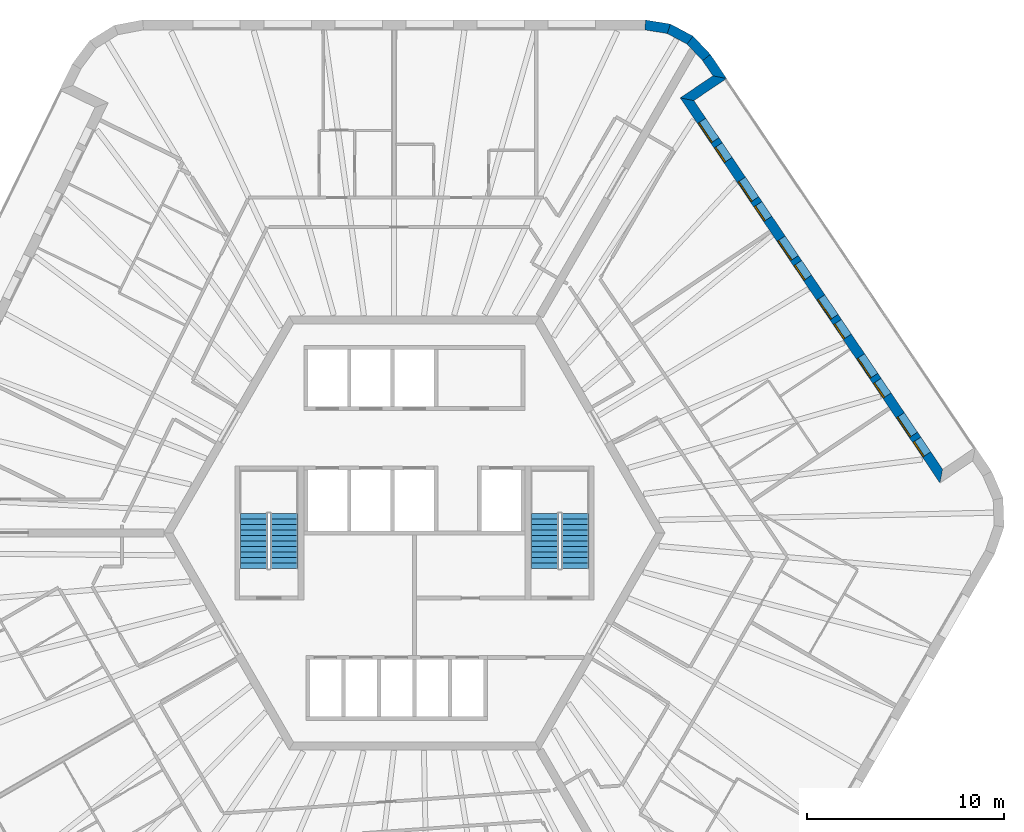
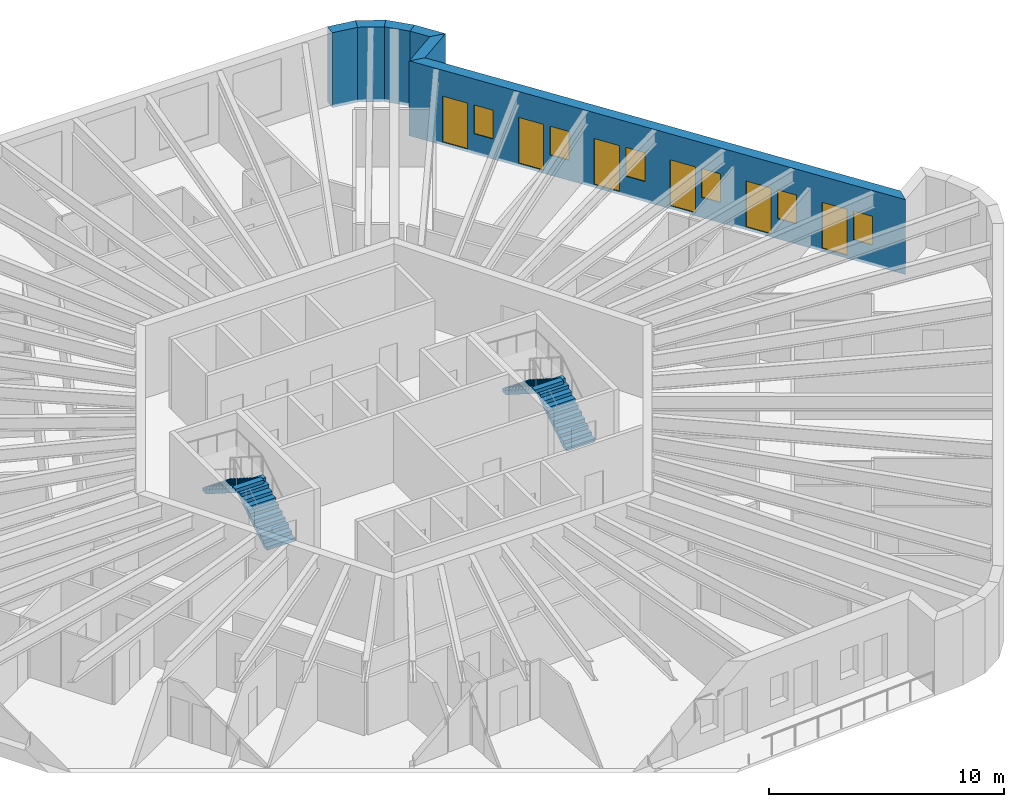
# One storey, part 11 of 12: 6 doors, 6 walls, 6 windows, 4 stair flights, 12 openings, 2 elements without a shape of their own.
"""IFC4 building model written with IfcOpenShell, lengths in metres."""

from ifc_helpers import new_model, si_unit, direction, frame, frame_2d, origin, place, context, subcontext, project, spatial, polyline, rectangle, outline, extrude, material, layer, layer_set, type_object, element, fill, aggregate, save


model = new_model("IFC4")

# Units and contexts
model_context = context("Model", 3, precision=1e-05, world=origin(), true_north=direction((0.0, 1.0)))
body_context = subcontext(model_context, "Body", "Model", "MODEL_VIEW")
ifc_project = project(units=[si_unit("LENGTHUNIT", "METRE"), si_unit("AREAUNIT", "SQUARE_METRE"), si_unit("VOLUMEUNIT", "CUBIC_METRE"), si_unit("PLANEANGLEUNIT", "RADIAN"), si_unit("MASSUNIT", "GRAM", prefix="KILO")], contexts=[model_context])

# Site, building, storey
site_placement = place(None, origin())
site = spatial("IfcSite", under=ifc_project, at=site_placement, CompositionType="ELEMENT")
building_placement = place(site_placement, origin())
building = spatial("IfcBuilding", under=site, at=building_placement, Name="Tarnside Tower", CompositionType="ELEMENT")
storey_placement = place(building_placement, frame((0.0, 0.0, 299.10009765625)))
storey = spatial("IfcBuildingStorey", under=building, at=storey_placement, Name="L72", CompositionType="ELEMENT", Elevation=299.10009765625)

# Wall, openings, doors, windows
ifc_material_1 = material(Name="Dark zinc cladding")
ifc_layer_1 = layer(ifc_material_1, 0.10205078125)
ifc_material_2 = material(Name="Concrete C60/75 precast", Category="concrete")
ifc_layer_2 = layer(ifc_material_2, 0.298095703125)
ifc_material_3 = material(Name="Mineral wool insulation")
ifc_layer_3 = layer(ifc_material_3, 0.10009765625)
ifc_layer_set_1 = layer_set([ifc_layer_1, ifc_layer_2, ifc_layer_3], Name="Loggia wall 500 zinc faced")
wall_type_1 = type_object("IfcWallType", Name="Loggia wall 500 zinc faced", PredefinedType="SOLIDWALL", material=ifc_layer_set_1)
wall_1_placement = place(storey_placement, frame((26.705810546875, 2.87890625, -0.150146484375), z_axis=(0.0, 0.0, 1.0), x_axis=(-0.559197891507, 0.829034208061, 0.0)))
wall_1 = element("IfcWall", 1, at=wall_1_placement, inside=storey, type_object=wall_type_1, Name="Tube wall L72 F6 back 30", PredefinedType="SOLIDWALL", context=body_context, shape_type="SweptSolid", body=[
    extrude(outline(polyline([(0.25, -0.25), (22.794677734375, -0.25), (23.294677734375, 0.25), (-0.25, 0.25), (0.25, -0.25)])), origin(), (0.0, 0.0, 1.0), 3.900146484375),
])
opening_1_placement = place(wall_1_placement, frame((1.322509765625, 0.0, 1.050048828125)))
opening_1 = element("IfcOpeningElement", 2, at=opening_1_placement, cuts=wall_1, Name="Opening WL500", PredefinedType="OPENING", context=body_context, shape_type="SweptSolid", body=[
    extrude(rectangle(XDim=0.89990234375, YDim=1.5, at=frame_2d((0.449951171875, 0.75))), frame((0.0, 0.260009765625, 0.0), z_axis=(0.0, -1.0, 0.0), x_axis=(1.0, 0.0, 0.0)), (0.0, 0.0, 1.0), 0.52001953125),
])
opening_2_placement = place(wall_1_placement, frame((2.5224609375, 0.0, 0.14990234375)))
opening_2 = element("IfcOpeningElement", 3, at=opening_2_placement, cuts=wall_1, Name="Opening DB500", PredefinedType="OPENING", context=body_context, shape_type="SweptSolid", body=[
    extrude(rectangle(XDim=1.199951171875, YDim=2.39990234375, at=frame_2d((0.60009765625, 1.199951171875))), frame((0.0, 0.260009765625, 0.0), z_axis=(0.0, -1.0, 0.0), x_axis=(1.0, 0.0, 0.0)), (0.0, 0.0, 1.0), 0.52001953125),
])
opening_3_placement = place(wall_1_placement, frame((4.92236328125, 0.0, 1.050048828125)))
opening_3 = element("IfcOpeningElement", 4, at=opening_3_placement, cuts=wall_1, Name="Opening WL500", PredefinedType="OPENING", context=body_context, shape_type="SweptSolid", body=[
    extrude(rectangle(XDim=0.89990234375, YDim=1.5, at=frame_2d((0.449951171875, 0.75))), frame((0.0, 0.260009765625, 0.0), z_axis=(0.0, -1.0, 0.0), x_axis=(1.0, 0.0, 0.0)), (0.0, 0.0, 1.0), 0.52001953125),
])
opening_4_placement = place(wall_1_placement, frame((6.122314453125, 0.0, 0.14990234375)))
opening_4 = element("IfcOpeningElement", 5, at=opening_4_placement, cuts=wall_1, Name="Opening DB500", PredefinedType="OPENING", context=body_context, shape_type="SweptSolid", body=[
    extrude(rectangle(XDim=1.199951171875, YDim=2.39990234375, at=frame_2d((0.60009765625, 1.199951171875))), frame((0.0, 0.260009765625, 0.0), z_axis=(0.0, -1.0, 0.0), x_axis=(1.0, 0.0, 0.0)), (0.0, 0.0, 1.0), 0.52001953125),
])
opening_5_placement = place(wall_1_placement, frame((8.5224609375, 0.0, 1.050048828125)))
opening_5 = element("IfcOpeningElement", 6, at=opening_5_placement, cuts=wall_1, Name="Opening WL500", PredefinedType="OPENING", context=body_context, shape_type="SweptSolid", body=[
    extrude(rectangle(XDim=0.89990234375, YDim=1.5, at=frame_2d((0.449951171875, 0.75))), frame((0.0, 0.260009765625, 0.0), z_axis=(0.0, -1.0, 0.0), x_axis=(1.0, 0.0, 0.0)), (0.0, 0.0, 1.0), 0.52001953125),
])
opening_6_placement = place(wall_1_placement, frame((9.722412109375, 0.0, 0.14990234375)))
opening_6 = element("IfcOpeningElement", 7, at=opening_6_placement, cuts=wall_1, Name="Opening DB500", PredefinedType="OPENING", context=body_context, shape_type="SweptSolid", body=[
    extrude(rectangle(XDim=1.199951171875, YDim=2.39990234375, at=frame_2d((0.60009765625, 1.199951171875))), frame((0.0, 0.260009765625, 0.0), z_axis=(0.0, -1.0, 0.0), x_axis=(1.0, 0.0, 0.0)), (0.0, 0.0, 1.0), 0.52001953125),
])
opening_7_placement = place(wall_1_placement, frame((12.122314453125, 0.0, 1.050048828125)))
opening_7 = element("IfcOpeningElement", 8, at=opening_7_placement, cuts=wall_1, Name="Opening WL500", PredefinedType="OPENING", context=body_context, shape_type="SweptSolid", body=[
    extrude(rectangle(XDim=0.89990234375, YDim=1.5, at=frame_2d((0.449951171875, 0.75))), frame((0.0, 0.260009765625, 0.0), z_axis=(0.0, -1.0, 0.0), x_axis=(1.0, 0.0, 0.0)), (0.0, 0.0, 1.0), 0.52001953125),
])
opening_8_placement = place(wall_1_placement, frame((13.322509765625, 0.0, 0.14990234375)))
opening_8 = element("IfcOpeningElement", 9, at=opening_8_placement, cuts=wall_1, Name="Opening DB500", PredefinedType="OPENING", context=body_context, shape_type="SweptSolid", body=[
    extrude(rectangle(XDim=1.199951171875, YDim=2.39990234375, at=frame_2d((0.60009765625, 1.199951171875))), frame((0.0, 0.260009765625, 0.0), z_axis=(0.0, -1.0, 0.0), x_axis=(1.0, 0.0, 0.0)), (0.0, 0.0, 1.0), 0.52001953125),
])
opening_9_placement = place(wall_1_placement, frame((15.722412109375, 0.0, 1.050048828125)))
opening_9 = element("IfcOpeningElement", 10, at=opening_9_placement, cuts=wall_1, Name="Opening WL500", PredefinedType="OPENING", context=body_context, shape_type="SweptSolid", body=[
    extrude(rectangle(XDim=0.89990234375, YDim=1.5, at=frame_2d((0.449951171875, 0.75))), frame((0.0, 0.260009765625, 0.0), z_axis=(0.0, -1.0, 0.0), x_axis=(1.0, 0.0, 0.0)), (0.0, 0.0, 1.0), 0.52001953125),
])
opening_10_placement = place(wall_1_placement, frame((16.92236328125, 0.0, 0.14990234375)))
opening_10 = element("IfcOpeningElement", 11, at=opening_10_placement, cuts=wall_1, Name="Opening DB500", PredefinedType="OPENING", context=body_context, shape_type="SweptSolid", body=[
    extrude(rectangle(XDim=1.199951171875, YDim=2.39990234375, at=frame_2d((0.60009765625, 1.199951171875))), frame((0.0, 0.260009765625, 0.0), z_axis=(0.0, -1.0, 0.0), x_axis=(1.0, 0.0, 0.0)), (0.0, 0.0, 1.0), 0.52001953125),
])
opening_11_placement = place(wall_1_placement, frame((19.322509765625, 0.0, 1.050048828125)))
opening_11 = element("IfcOpeningElement", 12, at=opening_11_placement, cuts=wall_1, Name="Opening WL500", PredefinedType="OPENING", context=body_context, shape_type="SweptSolid", body=[
    extrude(rectangle(XDim=0.89990234375, YDim=1.5, at=frame_2d((0.449951171875, 0.75))), frame((0.0, 0.260009765625, 0.0), z_axis=(0.0, -1.0, 0.0), x_axis=(1.0, 0.0, 0.0)), (0.0, 0.0, 1.0), 0.52001953125),
])
opening_12_placement = place(wall_1_placement, frame((20.5224609375, 0.0, 0.14990234375)))
opening_12 = element("IfcOpeningElement", 13, at=opening_12_placement, cuts=wall_1, Name="Opening DB500", PredefinedType="OPENING", context=body_context, shape_type="SweptSolid", body=[
    extrude(rectangle(XDim=1.199951171875, YDim=2.39990234375, at=frame_2d((0.60009765625, 1.199951171875))), frame((0.0, 0.260009765625, 0.0), z_axis=(0.0, -1.0, 0.0), x_axis=(1.0, 0.0, 0.0)), (0.0, 0.0, 1.0), 0.52001953125),
])
ifc_material_4 = material(Name="Aluminium-framed double glazing", Category="aluminium")
door_type = type_object("IfcDoorType", Name="Balcony sliding door 1200 x 2400 in 500 wall", OperationType="SLIDING_TO_LEFT", PredefinedType="DOOR", material=ifc_material_4)
door_1_placement = place(opening_2_placement, frame((0.0, 0.1748046875, 0.0)))
door_1 = element("IfcDoor", 14, at=door_1_placement, inside=storey, type_object=door_type, Name="E.BD.L72.F6.00", OperationType="SLIDING_TO_LEFT", OverallHeight=2.39990234375, OverallWidth=1.199951171875, PredefinedType="DOOR", context=body_context, shape_type="SweptSolid", body=[
    extrude(rectangle(XDim=1.199951171875, YDim=2.39990234375, at=frame_2d((0.60009765625, 1.199951171875))), frame((0.0, 0.02490234375, 0.0), z_axis=(0.0, -1.0, 0.0), x_axis=(1.0, 0.0, 0.0)), (0.0, 0.0, 1.0), 0.050048828125),
])
fill(opening_2, door_1)
door_2_placement = place(opening_4_placement, frame((0.0, 0.1748046875, 0.0)))
door_2 = element("IfcDoor", 15, at=door_2_placement, inside=storey, type_object=door_type, Name="E.BD.L72.F6.01", OperationType="SLIDING_TO_LEFT", OverallHeight=2.39990234375, OverallWidth=1.199951171875, PredefinedType="DOOR", context=body_context, shape_type="SweptSolid", body=[
    extrude(rectangle(XDim=1.199951171875, YDim=2.39990234375, at=frame_2d((0.60009765625, 1.199951171875))), frame((0.0, 0.02490234375, 0.0), z_axis=(0.0, -1.0, 0.0), x_axis=(1.0, 0.0, 0.0)), (0.0, 0.0, 1.0), 0.050048828125),
])
fill(opening_4, door_2)
door_3_placement = place(opening_6_placement, frame((0.0, 0.1748046875, 0.0)))
door_3 = element("IfcDoor", 16, at=door_3_placement, inside=storey, type_object=door_type, Name="E.BD.L72.F6.02", OperationType="SLIDING_TO_LEFT", OverallHeight=2.39990234375, OverallWidth=1.199951171875, PredefinedType="DOOR", context=body_context, shape_type="SweptSolid", body=[
    extrude(rectangle(XDim=1.199951171875, YDim=2.39990234375, at=frame_2d((0.60009765625, 1.199951171875))), frame((0.0, 0.02490234375, 0.0), z_axis=(0.0, -1.0, 0.0), x_axis=(1.0, 0.0, 0.0)), (0.0, 0.0, 1.0), 0.050048828125),
])
fill(opening_6, door_3)
door_4_placement = place(opening_8_placement, frame((0.0, 0.1748046875, 0.0)))
door_4 = element("IfcDoor", 17, at=door_4_placement, inside=storey, type_object=door_type, Name="E.BD.L72.F6.03", OperationType="SLIDING_TO_LEFT", OverallHeight=2.39990234375, OverallWidth=1.199951171875, PredefinedType="DOOR", context=body_context, shape_type="SweptSolid", body=[
    extrude(rectangle(XDim=1.199951171875, YDim=2.39990234375, at=frame_2d((0.60009765625, 1.199951171875))), frame((0.0, 0.02490234375, 0.0), z_axis=(0.0, -1.0, 0.0), x_axis=(1.0, 0.0, 0.0)), (0.0, 0.0, 1.0), 0.050048828125),
])
fill(opening_8, door_4)
door_5_placement = place(opening_10_placement, frame((0.0, 0.1748046875, 0.0)))
door_5 = element("IfcDoor", 18, at=door_5_placement, inside=storey, type_object=door_type, Name="E.BD.L72.F6.04", OperationType="SLIDING_TO_LEFT", OverallHeight=2.39990234375, OverallWidth=1.199951171875, PredefinedType="DOOR", context=body_context, shape_type="SweptSolid", body=[
    extrude(rectangle(XDim=1.199951171875, YDim=2.39990234375, at=frame_2d((0.60009765625, 1.199951171875))), frame((0.0, 0.02490234375, 0.0), z_axis=(0.0, -1.0, 0.0), x_axis=(1.0, 0.0, 0.0)), (0.0, 0.0, 1.0), 0.050048828125),
])
fill(opening_10, door_5)
door_6_placement = place(opening_12_placement, frame((0.0, 0.1748046875, 0.0)))
door_6 = element("IfcDoor", 19, at=door_6_placement, inside=storey, type_object=door_type, Name="E.BD.L72.F6.05", OperationType="SLIDING_TO_LEFT", OverallHeight=2.39990234375, OverallWidth=1.199951171875, PredefinedType="DOOR", context=body_context, shape_type="SweptSolid", body=[
    extrude(rectangle(XDim=1.199951171875, YDim=2.39990234375, at=frame_2d((0.60009765625, 1.199951171875))), frame((0.0, 0.02490234375, 0.0), z_axis=(0.0, -1.0, 0.0), x_axis=(1.0, 0.0, 0.0)), (0.0, 0.0, 1.0), 0.050048828125),
])
fill(opening_12, door_6)
window_type = type_object("IfcWindowType", Name="Loggia window 900 x 1500 in 500 wall", PartitioningType="SINGLE_PANEL", PredefinedType="WINDOW", material=ifc_material_4)
window_1_placement = place(opening_1_placement, frame((0.0, 0.179931640625, 0.0)))
window_1 = element("IfcWindow", 20, at=window_1_placement, inside=storey, type_object=window_type, Name="E.LW.L72.F6.00", OverallHeight=1.5, OverallWidth=0.89990234375, PartitioningType="SINGLE_PANEL", PredefinedType="WINDOW", context=body_context, shape_type="SweptSolid", body=[
    extrude(rectangle(XDim=0.89990234375, YDim=1.5, at=frame_2d((0.449951171875, 0.75))), frame((0.0, 0.030029296875, 0.0), z_axis=(0.0, -1.0, 0.0), x_axis=(1.0, 0.0, 0.0)), (0.0, 0.0, 1.0), 0.06005859375),
])
fill(opening_1, window_1)
window_2_placement = place(opening_3_placement, frame((0.0, 0.179931640625, 0.0)))
window_2 = element("IfcWindow", 21, at=window_2_placement, inside=storey, type_object=window_type, Name="E.LW.L72.F6.01", OverallHeight=1.5, OverallWidth=0.89990234375, PartitioningType="SINGLE_PANEL", PredefinedType="WINDOW", context=body_context, shape_type="SweptSolid", body=[
    extrude(rectangle(XDim=0.89990234375, YDim=1.5, at=frame_2d((0.449951171875, 0.75))), frame((0.0, 0.030029296875, 0.0), z_axis=(0.0, -1.0, 0.0), x_axis=(1.0, 0.0, 0.0)), (0.0, 0.0, 1.0), 0.06005859375),
])
fill(opening_3, window_2)
window_3_placement = place(opening_5_placement, frame((0.0, 0.179931640625, 0.0)))
window_3 = element("IfcWindow", 22, at=window_3_placement, inside=storey, type_object=window_type, Name="E.LW.L72.F6.02", OverallHeight=1.5, OverallWidth=0.89990234375, PartitioningType="SINGLE_PANEL", PredefinedType="WINDOW", context=body_context, shape_type="SweptSolid", body=[
    extrude(rectangle(XDim=0.89990234375, YDim=1.5, at=frame_2d((0.449951171875, 0.75))), frame((0.0, 0.030029296875, 0.0), z_axis=(0.0, -1.0, 0.0), x_axis=(1.0, 0.0, 0.0)), (0.0, 0.0, 1.0), 0.06005859375),
])
fill(opening_5, window_3)
window_4_placement = place(opening_7_placement, frame((0.0, 0.179931640625, 0.0)))
window_4 = element("IfcWindow", 23, at=window_4_placement, inside=storey, type_object=window_type, Name="E.LW.L72.F6.03", OverallHeight=1.5, OverallWidth=0.89990234375, PartitioningType="SINGLE_PANEL", PredefinedType="WINDOW", context=body_context, shape_type="SweptSolid", body=[
    extrude(rectangle(XDim=0.89990234375, YDim=1.5, at=frame_2d((0.449951171875, 0.75))), frame((0.0, 0.030029296875, 0.0), z_axis=(0.0, -1.0, 0.0), x_axis=(1.0, 0.0, 0.0)), (0.0, 0.0, 1.0), 0.06005859375),
])
fill(opening_7, window_4)
window_5_placement = place(opening_9_placement, frame((0.0, 0.179931640625, 0.0)))
window_5 = element("IfcWindow", 24, at=window_5_placement, inside=storey, type_object=window_type, Name="E.LW.L72.F6.04", OverallHeight=1.5, OverallWidth=0.89990234375, PartitioningType="SINGLE_PANEL", PredefinedType="WINDOW", context=body_context, shape_type="SweptSolid", body=[
    extrude(rectangle(XDim=0.89990234375, YDim=1.5, at=frame_2d((0.449951171875, 0.75))), frame((0.0, 0.030029296875, 0.0), z_axis=(0.0, -1.0, 0.0), x_axis=(1.0, 0.0, 0.0)), (0.0, 0.0, 1.0), 0.06005859375),
])
fill(opening_9, window_5)
window_6_placement = place(opening_11_placement, frame((0.0, 0.179931640625, 0.0)))
window_6 = element("IfcWindow", 25, at=window_6_placement, inside=storey, type_object=window_type, Name="E.LW.L72.F6.05", OverallHeight=1.5, OverallWidth=0.89990234375, PartitioningType="SINGLE_PANEL", PredefinedType="WINDOW", context=body_context, shape_type="SweptSolid", body=[
    extrude(rectangle(XDim=0.89990234375, YDim=1.5, at=frame_2d((0.449951171875, 0.75))), frame((0.0, 0.030029296875, 0.0), z_axis=(0.0, -1.0, 0.0), x_axis=(1.0, 0.0, 0.0)), (0.0, 0.0, 1.0), 0.06005859375),
])
fill(opening_11, window_6)

# Walls
wall_2_placement = place(storey_placement, frame((13.8193359375, 21.983642578125, -0.150146484375), z_axis=(0.0, 0.0, 1.0), x_axis=(0.829052389485, 0.559170935841, 0.0)))
element("IfcWall", 26, at=wall_2_placement, inside=storey, type_object=wall_type_1, Name="Tube wall L72 F6 return 31", PredefinedType="SOLIDWALL", context=body_context, shape_type="SweptSolid", body=[
    extrude(outline(polyline([(0.25, -0.25), (2.25, -0.25), (1.75, 0.25), (-0.25, 0.25), (0.25, -0.25)])), origin(), (0.0, 0.0, 1.0), 3.900146484375),
])
wall_3_placement = place(storey_placement, frame((15.4775390625, 23.10205078125, -0.150146484375), z_axis=(0.0, 0.0, 1.0), x_axis=(-0.559245726333, 0.829001940636, 0.0)))
element("IfcWall", 27, at=wall_3_placement, inside=storey, type_object=wall_type_1, Name="Tube wall L72 F6 stub 32", PredefinedType="SOLIDWALL", context=body_context, shape_type="SweptSolid", body=[
    extrude(outline(polyline([(-0.25, -0.25), (1.220703125, -0.25), (1.1796875, 0.25), (0.25, 0.25), (-0.25, -0.25)])), origin(), (0.0, 0.0, 1.0), 3.900146484375),
])
ifc_material_5 = material(Name="Facing brick", Category="masonry")
ifc_layer_4 = layer(ifc_material_5, 0.10205078125)
ifc_layer_5 = layer(ifc_material_2, 0.298095703125)
ifc_layer_6 = layer(ifc_material_3, 0.10009765625)
ifc_layer_set_2 = layer_set([ifc_layer_4, ifc_layer_5, ifc_layer_6], Name="Tube wall 500 brick faced")
wall_type_2 = type_object("IfcWallType", Name="Tube wall 500 brick faced", PredefinedType="SOLIDWALL", material=ifc_layer_set_2)
wall_4_placement = place(storey_placement, frame((14.806396484375, 24.096923828125, -0.150146484375), z_axis=(0.0, 0.0, 1.0), x_axis=(-0.686234452793, 0.727380420275, 0.0)))
element("IfcWall", 28, at=wall_4_placement, inside=storey, type_object=wall_type_2, Name="Tube wall L72 F6 chord 33", PredefinedType="SOLIDWALL", context=body_context, shape_type="SweptSolid", body=[
    extrude(outline(polyline([(-0.0205078125, -0.25), (1.25732421875, -0.25), (1.17529296875, 0.25), (0.0205078125, 0.25), (-0.0205078125, -0.25)])), origin(), (0.0, 0.0, 1.0), 3.900146484375),
])
wall_5_placement = place(storey_placement, frame((13.9716796875, 24.981689453125, -0.150146484375), z_axis=(0.0, 0.0, 1.0), x_axis=(-0.882902492938, 0.469556373575, 0.0)))
element("IfcWall", 29, at=wall_5_placement, inside=storey, type_object=wall_type_2, Name="Tube wall L72 F6 chord 34", PredefinedType="SOLIDWALL", context=body_context, shape_type="SweptSolid", body=[
    extrude(outline(polyline([(-0.041015625, -0.25), (1.257080078125, -0.25), (1.175048828125, 0.25), (0.041015625, 0.25), (-0.041015625, -0.25)])), origin(), (0.0, 0.0, 1.0), 3.900146484375),
])
wall_6_placement = place(storey_placement, frame((12.89794921875, 25.552734375, -0.150146484375), z_axis=(0.0, 0.0, 1.0), x_axis=(-0.986765617372, 0.16215306464, 0.0)))
element("IfcWall", 30, at=wall_6_placement, inside=storey, type_object=wall_type_2, Name="Tube wall L72 F6 chord 35", PredefinedType="SOLIDWALL", context=body_context, shape_type="SweptSolid", body=[
    extrude(outline(polyline([(-0.041015625, -0.25), (1.237060546875, -0.25), (1.196044921875, 0.25), (0.041015625, 0.25), (-0.041015625, -0.25)])), origin(), (0.0, 0.0, 1.0), 3.900146484375),
])

# Stair, stair flights
ifc_material_6 = material(Name="Concrete C40/50", Category="concrete")
stair_type = type_object("IfcStairType", Name="Exit stair 1400 clear", PredefinedType="HALF_TURN_STAIR", material=ifc_material_6)
stair_1_placement = place(storey_placement, origin())
stair_1 = element("IfcStair", 31, at=stair_1_placement, inside=storey, type_object=stair_type, Name="L72 Exit stair 1", PredefinedType="HALF_TURN_STAIR")
stair_flight_type = type_object("IfcStairFlightType", Name="Exit stair flight 1400", PredefinedType="STRAIGHT", material=ifc_material_6)
stair_flight_1_placement = place(storey_placement, frame((8.14990234375, -1.800048828125, 0.0), z_axis=(0.0, 0.0, 1.0), x_axis=(0.0, 1.0, 0.0)))
stair_flight_1 = element("IfcStairFlight", 32, at=stair_flight_1_placement, type_object=stair_flight_type, Name="ST1 flight 1", NumberOfRisers=11, NumberOfTreads=10, PredefinedType="STRAIGHT", RiserHeight=0.177272727, TreadLength=0.28, context=body_context, shape_type="SweptSolid", body=[
    extrude(outline(polyline([(0.0, 0.0), (0.0, 0.17724609375), (0.280029296875, 0.17724609375), (0.280029296875, 0.3544921875), (0.56005859375, 0.3544921875), (0.56005859375, 0.53173828125), (0.840087890625, 0.53173828125), (0.840087890625, 0.708984375), (1.1201171875, 0.708984375), (1.1201171875, 0.886474609375), (1.39990234375, 0.886474609375), (1.39990234375, 1.063720703125), (1.679931640625, 1.063720703125), (1.679931640625, 1.240966796875), (1.9599609375, 1.240966796875), (1.9599609375, 1.418212890625), (2.239990234375, 1.418212890625), (2.239990234375, 1.595458984375), (2.52001953125, 1.595458984375), (2.52001953125, 1.772705078125), (2.800048828125, 1.772705078125), (2.800048828125, 1.949951171875), (2.800048828125, 1.59521484375), (0.2802734375, 0.0), (0.0, 0.0)])), frame((0.0, 0.699951171875, 0.0), z_axis=(0.0, -1.0, 0.0), x_axis=(1.0, 0.0, 0.0)), (0.0, 0.0, 1.0), 1.39990234375),
])
stair_flight_2_placement = place(storey_placement, frame((6.60009765625, 1.0, 1.949951171875), z_axis=(0.0, 0.0, 1.0), x_axis=(0.0, -1.0, 0.0)))
stair_flight_2 = element("IfcStairFlight", 33, at=stair_flight_2_placement, type_object=stair_flight_type, Name="ST1 flight 2", NumberOfRisers=11, NumberOfTreads=10, PredefinedType="STRAIGHT", RiserHeight=0.177272727, TreadLength=0.28, context=body_context, shape_type="SweptSolid", body=[
    extrude(outline(polyline([(0.0, 0.0), (0.0, 0.17724609375), (0.280029296875, 0.17724609375), (0.280029296875, 0.3544921875), (0.56005859375, 0.3544921875), (0.56005859375, 0.53173828125), (0.840087890625, 0.53173828125), (0.840087890625, 0.708984375), (1.1201171875, 0.708984375), (1.1201171875, 0.886474609375), (1.39990234375, 0.886474609375), (1.39990234375, 1.063720703125), (1.679931640625, 1.063720703125), (1.679931640625, 1.240966796875), (1.9599609375, 1.240966796875), (1.9599609375, 1.418212890625), (2.239990234375, 1.418212890625), (2.239990234375, 1.595458984375), (2.52001953125, 1.595458984375), (2.52001953125, 1.772705078125), (2.800048828125, 1.772705078125), (2.800048828125, 1.949951171875), (2.800048828125, 1.59521484375), (0.2802734375, 0.0), (0.0, 0.0)])), frame((0.0, 0.699951171875, 0.0), z_axis=(0.0, -1.0, 0.0), x_axis=(1.0, 0.0, 0.0)), (0.0, 0.0, 1.0), 1.39990234375),
])
aggregate(stair_1, [stair_flight_1, stair_flight_2])

stair_2_placement = place(storey_placement, origin())
stair_2 = element("IfcStair", 34, at=stair_2_placement, inside=storey, type_object=stair_type, Name="L72 Exit stair 2", PredefinedType="HALF_TURN_STAIR")
stair_flight_3_placement = place(storey_placement, frame((-6.60009765625, -1.800048828125, 0.0), z_axis=(0.0, 0.0, 1.0), x_axis=(0.0, 1.0, 0.0)))
stair_flight_3 = element("IfcStairFlight", 35, at=stair_flight_3_placement, type_object=stair_flight_type, Name="ST2 flight 1", NumberOfRisers=11, NumberOfTreads=10, PredefinedType="STRAIGHT", RiserHeight=0.177272727, TreadLength=0.28, context=body_context, shape_type="SweptSolid", body=[
    extrude(outline(polyline([(0.0, 0.0), (0.0, 0.17724609375), (0.280029296875, 0.17724609375), (0.280029296875, 0.3544921875), (0.56005859375, 0.3544921875), (0.56005859375, 0.53173828125), (0.840087890625, 0.53173828125), (0.840087890625, 0.708984375), (1.1201171875, 0.708984375), (1.1201171875, 0.886474609375), (1.39990234375, 0.886474609375), (1.39990234375, 1.063720703125), (1.679931640625, 1.063720703125), (1.679931640625, 1.240966796875), (1.9599609375, 1.240966796875), (1.9599609375, 1.418212890625), (2.239990234375, 1.418212890625), (2.239990234375, 1.595458984375), (2.52001953125, 1.595458984375), (2.52001953125, 1.772705078125), (2.800048828125, 1.772705078125), (2.800048828125, 1.949951171875), (2.800048828125, 1.59521484375), (0.2802734375, 0.0), (0.0, 0.0)])), frame((0.0, 0.699951171875, 0.0), z_axis=(0.0, -1.0, 0.0), x_axis=(1.0, 0.0, 0.0)), (0.0, 0.0, 1.0), 1.39990234375),
])
stair_flight_4_placement = place(storey_placement, frame((-8.14990234375, 1.0, 1.949951171875), z_axis=(0.0, 0.0, 1.0), x_axis=(0.0, -1.0, 0.0)))
stair_flight_4 = element("IfcStairFlight", 36, at=stair_flight_4_placement, type_object=stair_flight_type, Name="ST2 flight 2", NumberOfRisers=11, NumberOfTreads=10, PredefinedType="STRAIGHT", RiserHeight=0.177272727, TreadLength=0.28, context=body_context, shape_type="SweptSolid", body=[
    extrude(outline(polyline([(0.0, 0.0), (0.0, 0.17724609375), (0.280029296875, 0.17724609375), (0.280029296875, 0.3544921875), (0.56005859375, 0.3544921875), (0.56005859375, 0.53173828125), (0.840087890625, 0.53173828125), (0.840087890625, 0.708984375), (1.1201171875, 0.708984375), (1.1201171875, 0.886474609375), (1.39990234375, 0.886474609375), (1.39990234375, 1.063720703125), (1.679931640625, 1.063720703125), (1.679931640625, 1.240966796875), (1.9599609375, 1.240966796875), (1.9599609375, 1.418212890625), (2.239990234375, 1.418212890625), (2.239990234375, 1.595458984375), (2.52001953125, 1.595458984375), (2.52001953125, 1.772705078125), (2.800048828125, 1.772705078125), (2.800048828125, 1.949951171875), (2.800048828125, 1.59521484375), (0.2802734375, 0.0), (0.0, 0.0)])), frame((0.0, 0.699951171875, 0.0), z_axis=(0.0, -1.0, 0.0), x_axis=(1.0, 0.0, 0.0)), (0.0, 0.0, 1.0), 1.39990234375),
])
aggregate(stair_2, [stair_flight_3, stair_flight_4])

save(model, "model.ifc")
